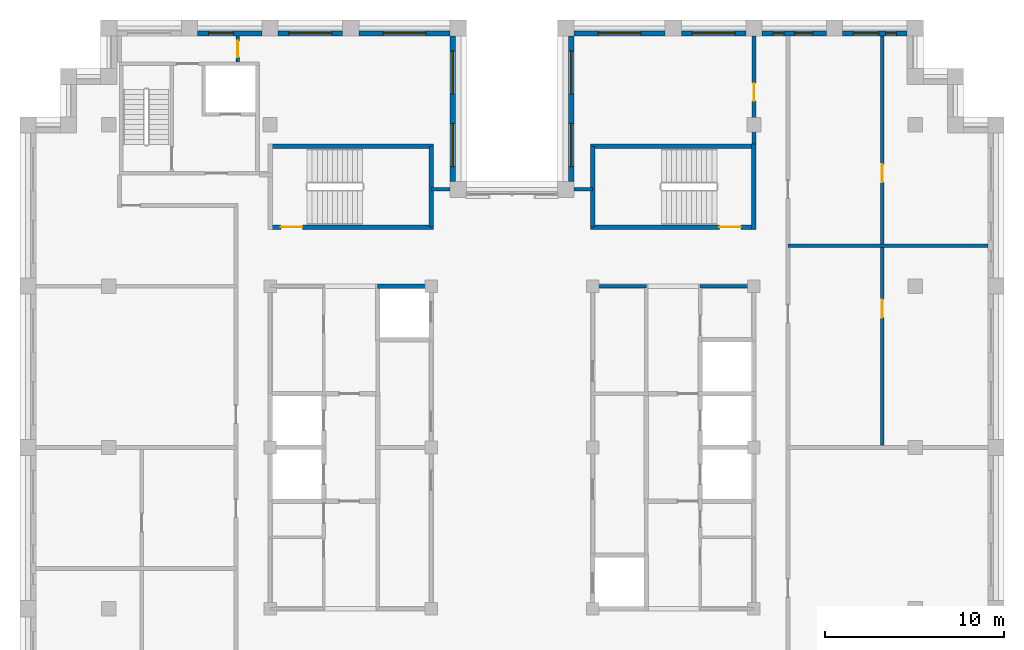
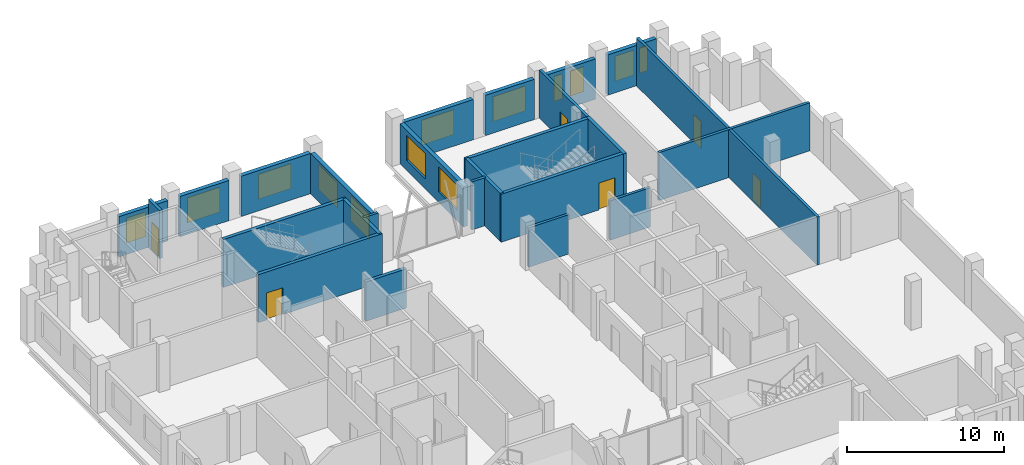
# One storey, part 10 of 13: 25 walls, 13 windows, 6 doors, 19 openings.
"""IFC4 building model written with IfcOpenShell, lengths in metres."""

from ifc_helpers import new_model, si_unit, direction, frame, frame_2d, origin, place, context, subcontext, project, spatial, rectangle, extrude, material, layer, layer_set, type_object, element, fill, save


model = new_model("IFC4")

# Units and contexts
model_context = context("Model", 3, precision=1e-05, world=origin(), true_north=direction((0.0, 1.0)))
body_context = subcontext(model_context, "Body", "Model", "MODEL_VIEW")
ifc_project = project(units=[si_unit("LENGTHUNIT", "METRE"), si_unit("AREAUNIT", "SQUARE_METRE"), si_unit("VOLUMEUNIT", "CUBIC_METRE"), si_unit("PLANEANGLEUNIT", "RADIAN"), si_unit("MASSUNIT", "GRAM", prefix="KILO")], contexts=[model_context])

# Site, building, storey
site_placement = place(None, origin())
site = spatial("IfcSite", under=ifc_project, at=site_placement, CompositionType="ELEMENT")
building_placement = place(site_placement, origin())
building = spatial("IfcBuilding", under=site, at=building_placement, Name="Corbelhall Arena Tower", CompositionType="ELEMENT")
storey_placement = place(building_placement, frame((0.0, 0.0, 312.0)))
storey = spatial("IfcBuildingStorey", under=building, at=storey_placement, Name="L68", CompositionType="ELEMENT", Elevation=312.0)

# Wall, openings, windows
ifc_material_1 = material(Name="Precast concrete C40/50 with granite facing", Category="masonry")
ifc_layer_1 = layer(ifc_material_1, 0.300048828125)
ifc_layer_set_1 = layer_set([ifc_layer_1], Name="EV-IW1 Infill panel 300")
wall_type_1 = type_object("IfcWallType", Name="EV-IW1 Infill panel 300", PredefinedType="SOLIDWALL", material=ifc_layer_set_1)
wall_1_placement = place(storey_placement, frame((22.050048828125, 23.10009765625, 0.0), z_axis=(0.0, 0.0, 1.0), x_axis=(-1.0, 0.0, 0.0)))
wall_1 = element("IfcWall", 1, at=wall_1_placement, inside=storey, type_object=wall_type_1, Name="Infill panel IW1", PredefinedType="SOLIDWALL", context=body_context, shape_type="SweptSolid", body=[
    extrude(rectangle(XDim=3.60009765625, YDim=0.300048828125, at=frame_2d((1.800048828125, 0.0))), origin(), (0.0, 0.0, 1.0), 3.139892578125),
])
opening_1_placement = place(wall_1_placement, frame((0.60009765625, 0.0, 0.800048828125)))
opening_1 = element("IfcOpeningElement", 2, at=opening_1_placement, cuts=wall_1, Name="Opening WN5", PredefinedType="OPENING", context=body_context, shape_type="SweptSolid", body=[
    extrude(rectangle(XDim=0.60009765625, YDim=1.949951171875, at=frame_2d((0.300048828125, 0.97509765625))), frame((0.0, 0.14990234375, 0.0), z_axis=(0.0, -1.0, 0.0), x_axis=(1.0, 0.0, 0.0)), (0.0, 0.0, 1.0), 0.300048828125),
])
opening_2_placement = place(wall_1_placement, frame((1.60009765625, 0.0, 0.800048828125)))
opening_2 = element("IfcOpeningElement", 3, at=opening_2_placement, cuts=wall_1, Name="Opening WN7", PredefinedType="OPENING", context=body_context, shape_type="SweptSolid", body=[
    extrude(rectangle(XDim=1.39990234375, YDim=1.949951171875, at=frame_2d((0.699951171875, 0.97509765625))), frame((0.0, 0.14990234375, 0.0), z_axis=(0.0, -1.0, 0.0), x_axis=(1.0, 0.0, 0.0)), (0.0, 0.0, 1.0), 0.300048828125),
])
ifc_material_2 = material(Name="Aluminium black anodised", Category="aluminium")
window_type_1 = type_object("IfcWindowType", Name="EV-WN5 Office window 600", PartitioningType="SINGLE_PANEL", PredefinedType="WINDOW", material=ifc_material_2)
window_1_placement = place(opening_1_placement, origin())
window_1 = element("IfcWindow", 4, at=window_1_placement, inside=storey, type_object=window_type_1, Name="Window WN5", OverallHeight=1.949951171875, OverallWidth=0.60009765625, PartitioningType="SINGLE_PANEL", PredefinedType="WINDOW", context=body_context, shape_type="SweptSolid", body=[
    extrude(rectangle(XDim=0.60009765625, YDim=1.949951171875, at=frame_2d((0.300048828125, 0.97509765625))), frame((0.0, 0.030029296875, 0.0), z_axis=(0.0, -1.0, 0.0), x_axis=(1.0, 0.0, 0.0)), (0.0, 0.0, 1.0), 0.06005859375),
])
fill(opening_1, window_1)
window_type_2 = type_object("IfcWindowType", Name="EV-WN7 Office window 1400", PartitioningType="SINGLE_PANEL", PredefinedType="WINDOW", material=ifc_material_2)
window_2_placement = place(opening_2_placement, origin())
window_2 = element("IfcWindow", 5, at=window_2_placement, inside=storey, type_object=window_type_2, Name="Window WN7", OverallHeight=1.949951171875, OverallWidth=1.39990234375, PartitioningType="SINGLE_PANEL", PredefinedType="WINDOW", context=body_context, shape_type="SweptSolid", body=[
    extrude(rectangle(XDim=1.39990234375, YDim=1.949951171875, at=frame_2d((0.699951171875, 0.97509765625))), frame((0.0, 0.030029296875, 0.0), z_axis=(0.0, -1.0, 0.0), x_axis=(1.0, 0.0, 0.0)), (0.0, 0.0, 1.0), 0.06005859375),
])
fill(opening_2, window_2)

wall_2_placement = place(storey_placement, frame((17.550048828125, 23.10009765625, 0.0), z_axis=(0.0, 0.0, 1.0), x_axis=(-1.0, 0.0, 0.0)))
wall_2 = element("IfcWall", 6, at=wall_2_placement, inside=storey, type_object=wall_type_1, Name="Infill panel IW1", PredefinedType="SOLIDWALL", context=body_context, shape_type="SweptSolid", body=[
    extrude(rectangle(XDim=3.60009765625, YDim=0.300048828125, at=frame_2d((1.800048828125, 0.0))), origin(), (0.0, 0.0, 1.0), 3.139892578125),
])
opening_3_placement = place(wall_2_placement, frame((0.77490234375, 0.0, 0.800048828125)))
opening_3 = element("IfcOpeningElement", 7, at=opening_3_placement, cuts=wall_2, Name="Opening WN6", PredefinedType="OPENING", context=body_context, shape_type="SweptSolid", body=[
    extrude(rectangle(XDim=1.0, YDim=1.949951171875, at=frame_2d((0.5, 0.97509765625))), frame((0.0, 0.14990234375, 0.0), z_axis=(0.0, -1.0, 0.0), x_axis=(1.0, 0.0, 0.0)), (0.0, 0.0, 1.0), 0.300048828125),
])
opening_4_placement = place(wall_2_placement, frame((2.375, 0.0, 0.800048828125)))
opening_4 = element("IfcOpeningElement", 8, at=opening_4_placement, cuts=wall_2, Name="Opening WN5", PredefinedType="OPENING", context=body_context, shape_type="SweptSolid", body=[
    extrude(rectangle(XDim=0.60009765625, YDim=1.949951171875, at=frame_2d((0.300048828125, 0.97509765625))), frame((0.0, 0.14990234375, 0.0), z_axis=(0.0, -1.0, 0.0), x_axis=(1.0, 0.0, 0.0)), (0.0, 0.0, 1.0), 0.300048828125),
])
window_3_placement = place(opening_4_placement, origin())
window_3 = element("IfcWindow", 9, at=window_3_placement, inside=storey, type_object=window_type_1, Name="Window WN5", OverallHeight=1.949951171875, OverallWidth=0.60009765625, PartitioningType="SINGLE_PANEL", PredefinedType="WINDOW", context=body_context, shape_type="SweptSolid", body=[
    extrude(rectangle(XDim=0.60009765625, YDim=1.949951171875, at=frame_2d((0.300048828125, 0.97509765625))), frame((0.0, 0.030029296875, 0.0), z_axis=(0.0, -1.0, 0.0), x_axis=(1.0, 0.0, 0.0)), (0.0, 0.0, 1.0), 0.06005859375),
])
fill(opening_4, window_3)
window_type_3 = type_object("IfcWindowType", Name="EV-WN6 Office window 1000", PartitioningType="SINGLE_PANEL", PredefinedType="WINDOW", material=ifc_material_2)
window_4_placement = place(opening_3_placement, origin())
window_4 = element("IfcWindow", 10, at=window_4_placement, inside=storey, type_object=window_type_3, Name="Window WN6", OverallHeight=1.949951171875, OverallWidth=1.0, PartitioningType="SINGLE_PANEL", PredefinedType="WINDOW", context=body_context, shape_type="SweptSolid", body=[
    extrude(rectangle(XDim=1.0, YDim=1.949951171875, at=frame_2d((0.5, 0.97509765625))), frame((0.0, 0.030029296875, 0.0), z_axis=(0.0, -1.0, 0.0), x_axis=(1.0, 0.0, 0.0)), (0.0, 0.0, 1.0), 0.06005859375),
])
fill(opening_3, window_4)

# Wall, opening, window
wall_3_placement = place(storey_placement, frame((13.050048828125, 23.10009765625, 0.0), z_axis=(0.0, 0.0, 1.0), x_axis=(-1.0, 0.0, 0.0)))
wall_3 = element("IfcWall", 11, at=wall_3_placement, inside=storey, type_object=wall_type_1, Name="Infill panel IW1", PredefinedType="SOLIDWALL", context=body_context, shape_type="SweptSolid", body=[
    extrude(rectangle(XDim=3.60009765625, YDim=0.300048828125, at=frame_2d((1.800048828125, 0.0))), origin(), (0.0, 0.0, 1.0), 3.139892578125),
])
opening_5_placement = place(wall_3_placement, frame((0.60009765625, 0.0, 0.800048828125)))
opening_5 = element("IfcOpeningElement", 12, at=opening_5_placement, cuts=wall_3, Name="Opening WN1", PredefinedType="OPENING", context=body_context, shape_type="SweptSolid", body=[
    extrude(rectangle(XDim=2.39990234375, YDim=1.949951171875, at=frame_2d((1.199951171875, 0.97509765625))), frame((0.0, 0.14990234375, 0.0), z_axis=(0.0, -1.0, 0.0), x_axis=(1.0, 0.0, 0.0)), (0.0, 0.0, 1.0), 0.300048828125),
])
window_type_4 = type_object("IfcWindowType", Name="EV-WN1 Office window", PartitioningType="SINGLE_PANEL", PredefinedType="WINDOW", material=ifc_material_2)
window_5_placement = place(opening_5_placement, origin())
window_5 = element("IfcWindow", 13, at=window_5_placement, inside=storey, type_object=window_type_4, Name="Window WN1", OverallHeight=1.949951171875, OverallWidth=2.39990234375, PartitioningType="SINGLE_PANEL", PredefinedType="WINDOW", context=body_context, shape_type="SweptSolid", body=[
    extrude(rectangle(XDim=2.39990234375, YDim=1.949951171875, at=frame_2d((1.199951171875, 0.97509765625))), frame((0.0, 0.030029296875, 0.0), z_axis=(0.0, -1.0, 0.0), x_axis=(1.0, 0.0, 0.0)), (0.0, 0.0, 1.0), 0.06005859375),
])
fill(opening_5, window_5)

wall_4_placement = place(storey_placement, frame((8.550048828125, 23.10009765625, 0.0), z_axis=(0.0, 0.0, 1.0), x_axis=(-1.0, 0.0, 0.0)))
wall_4 = element("IfcWall", 14, at=wall_4_placement, inside=storey, type_object=wall_type_1, Name="Infill panel IW1", PredefinedType="SOLIDWALL", context=body_context, shape_type="SweptSolid", body=[
    extrude(rectangle(XDim=5.10009765625, YDim=0.300048828125, at=frame_2d((2.550048828125, 0.0))), origin(), (0.0, 0.0, 1.0), 3.139892578125),
])
opening_6_placement = place(wall_4_placement, frame((1.35009765625, 0.0, 0.800048828125)))
opening_6 = element("IfcOpeningElement", 15, at=opening_6_placement, cuts=wall_4, Name="Opening WN1", PredefinedType="OPENING", context=body_context, shape_type="SweptSolid", body=[
    extrude(rectangle(XDim=2.39990234375, YDim=1.949951171875, at=frame_2d((1.199951171875, 0.97509765625))), frame((0.0, 0.14990234375, 0.0), z_axis=(0.0, -1.0, 0.0), x_axis=(1.0, 0.0, 0.0)), (0.0, 0.0, 1.0), 0.300048828125),
])
window_6_placement = place(opening_6_placement, origin())
window_6 = element("IfcWindow", 16, at=window_6_placement, inside=storey, type_object=window_type_4, Name="Window WN1", OverallHeight=1.949951171875, OverallWidth=2.39990234375, PartitioningType="SINGLE_PANEL", PredefinedType="WINDOW", context=body_context, shape_type="SweptSolid", body=[
    extrude(rectangle(XDim=2.39990234375, YDim=1.949951171875, at=frame_2d((1.199951171875, 0.97509765625))), frame((0.0, 0.030029296875, 0.0), z_axis=(0.0, -1.0, 0.0), x_axis=(1.0, 0.0, 0.0)), (0.0, 0.0, 1.0), 0.06005859375),
])
fill(opening_6, window_6)

# Wall, openings, windows
wall_5_placement = place(storey_placement, frame((3.300048828125, 22.949951171875, 0.0), z_axis=(0.0, 0.0, 1.0), x_axis=(0.0, -1.0, 0.0)))
wall_5 = element("IfcWall", 17, at=wall_5_placement, inside=storey, type_object=wall_type_1, Name="Infill panel IW1", PredefinedType="SOLIDWALL", context=body_context, shape_type="SweptSolid", body=[
    extrude(rectangle(XDim=8.099853515625, YDim=0.300048828125, at=frame_2d((4.0498046875, 0.0))), origin(), (0.0, 0.0, 1.0), 3.139892578125),
])
opening_7_placement = place(wall_5_placement, frame((0.824951171875, 0.0, 0.800048828125)))
opening_7 = element("IfcOpeningElement", 18, at=opening_7_placement, cuts=wall_5, Name="Opening WN1", PredefinedType="OPENING", context=body_context, shape_type="SweptSolid", body=[
    extrude(rectangle(XDim=2.39990234375, YDim=1.949951171875, at=frame_2d((1.199951171875, 0.97509765625))), frame((0.0, 0.14990234375, 0.0), z_axis=(0.0, -1.0, 0.0), x_axis=(1.0, 0.0, 0.0)), (0.0, 0.0, 1.0), 0.300048828125),
])
opening_8_placement = place(wall_5_placement, frame((4.875, 0.0, 0.800048828125)))
opening_8 = element("IfcOpeningElement", 19, at=opening_8_placement, cuts=wall_5, Name="Opening WN1", PredefinedType="OPENING", context=body_context, shape_type="SweptSolid", body=[
    extrude(rectangle(XDim=2.39990234375, YDim=1.949951171875, at=frame_2d((1.199951171875, 0.97509765625))), frame((0.0, 0.14990234375, 0.0), z_axis=(0.0, -1.0, 0.0), x_axis=(1.0, 0.0, 0.0)), (0.0, 0.0, 1.0), 0.300048828125),
])
window_7_placement = place(opening_7_placement, origin())
window_7 = element("IfcWindow", 20, at=window_7_placement, inside=storey, type_object=window_type_4, Name="Window WN1", OverallHeight=1.949951171875, OverallWidth=2.39990234375, PartitioningType="SINGLE_PANEL", PredefinedType="WINDOW", context=body_context, shape_type="SweptSolid", body=[
    extrude(rectangle(XDim=2.39990234375, YDim=1.949951171875, at=frame_2d((1.199951171875, 0.97509765625))), frame((0.0, 0.030029296875, 0.0), z_axis=(0.0, -1.0, 0.0), x_axis=(1.0, 0.0, 0.0)), (0.0, 0.0, 1.0), 0.06005859375),
])
fill(opening_7, window_7)
window_8_placement = place(opening_8_placement, origin())
window_8 = element("IfcWindow", 21, at=window_8_placement, inside=storey, type_object=window_type_4, Name="Window WN1", OverallHeight=1.949951171875, OverallWidth=2.39990234375, PartitioningType="SINGLE_PANEL", PredefinedType="WINDOW", context=body_context, shape_type="SweptSolid", body=[
    extrude(rectangle(XDim=2.39990234375, YDim=1.949951171875, at=frame_2d((1.199951171875, 0.97509765625))), frame((0.0, 0.030029296875, 0.0), z_axis=(0.0, -1.0, 0.0), x_axis=(1.0, 0.0, 0.0)), (0.0, 0.0, 1.0), 0.06005859375),
])
fill(opening_8, window_8)

wall_6_placement = place(storey_placement, frame((-3.300048828125, 14.85009765625, 0.0), z_axis=(0.0, 0.0, 1.0), x_axis=(0.0, 1.0, 0.0)))
wall_6 = element("IfcWall", 22, at=wall_6_placement, inside=storey, type_object=wall_type_1, Name="Infill panel IW1", PredefinedType="SOLIDWALL", context=body_context, shape_type="SweptSolid", body=[
    extrude(rectangle(XDim=8.099853515625, YDim=0.300048828125, at=frame_2d((4.0498046875, 0.0))), origin(), (0.0, 0.0, 1.0), 3.139892578125),
])
opening_9_placement = place(wall_6_placement, frame((0.824951171875, 0.0, 0.800048828125)))
opening_9 = element("IfcOpeningElement", 23, at=opening_9_placement, cuts=wall_6, Name="Opening WN1", PredefinedType="OPENING", context=body_context, shape_type="SweptSolid", body=[
    extrude(rectangle(XDim=2.39990234375, YDim=1.949951171875, at=frame_2d((1.199951171875, 0.97509765625))), frame((0.0, 0.14990234375, 0.0), z_axis=(0.0, -1.0, 0.0), x_axis=(1.0, 0.0, 0.0)), (0.0, 0.0, 1.0), 0.300048828125),
])
opening_10_placement = place(wall_6_placement, frame((4.875, 0.0, 0.800048828125)))
opening_10 = element("IfcOpeningElement", 24, at=opening_10_placement, cuts=wall_6, Name="Opening WN1", PredefinedType="OPENING", context=body_context, shape_type="SweptSolid", body=[
    extrude(rectangle(XDim=2.39990234375, YDim=1.949951171875, at=frame_2d((1.199951171875, 0.97509765625))), frame((0.0, 0.14990234375, 0.0), z_axis=(0.0, -1.0, 0.0), x_axis=(1.0, 0.0, 0.0)), (0.0, 0.0, 1.0), 0.300048828125),
])
window_9_placement = place(opening_9_placement, origin())
window_9 = element("IfcWindow", 25, at=window_9_placement, inside=storey, type_object=window_type_4, Name="Window WN1", OverallHeight=1.949951171875, OverallWidth=2.39990234375, PartitioningType="SINGLE_PANEL", PredefinedType="WINDOW", context=body_context, shape_type="SweptSolid", body=[
    extrude(rectangle(XDim=2.39990234375, YDim=1.949951171875, at=frame_2d((1.199951171875, 0.97509765625))), frame((0.0, 0.030029296875, 0.0), z_axis=(0.0, -1.0, 0.0), x_axis=(1.0, 0.0, 0.0)), (0.0, 0.0, 1.0), 0.06005859375),
])
fill(opening_9, window_9)
window_10_placement = place(opening_10_placement, origin())
window_10 = element("IfcWindow", 26, at=window_10_placement, inside=storey, type_object=window_type_4, Name="Window WN1", OverallHeight=1.949951171875, OverallWidth=2.39990234375, PartitioningType="SINGLE_PANEL", PredefinedType="WINDOW", context=body_context, shape_type="SweptSolid", body=[
    extrude(rectangle(XDim=2.39990234375, YDim=1.949951171875, at=frame_2d((1.199951171875, 0.97509765625))), frame((0.0, 0.030029296875, 0.0), z_axis=(0.0, -1.0, 0.0), x_axis=(1.0, 0.0, 0.0)), (0.0, 0.0, 1.0), 0.06005859375),
])
fill(opening_10, window_10)

# Wall, opening, window
wall_7_placement = place(storey_placement, frame((-3.449951171875, 23.10009765625, 0.0), z_axis=(0.0, 0.0, 1.0), x_axis=(-1.0, 0.0, 0.0)))
wall_7 = element("IfcWall", 27, at=wall_7_placement, inside=storey, type_object=wall_type_1, Name="Infill panel IW1", PredefinedType="SOLIDWALL", context=body_context, shape_type="SweptSolid", body=[
    extrude(rectangle(XDim=5.10009765625, YDim=0.300048828125, at=frame_2d((2.550048828125, 0.0))), origin(), (0.0, 0.0, 1.0), 3.139892578125),
])
opening_11_placement = place(wall_7_placement, frame((1.35009765625, 0.0, 0.800048828125)))
opening_11 = element("IfcOpeningElement", 28, at=opening_11_placement, cuts=wall_7, Name="Opening WN1", PredefinedType="OPENING", context=body_context, shape_type="SweptSolid", body=[
    extrude(rectangle(XDim=2.39990234375, YDim=1.949951171875, at=frame_2d((1.199951171875, 0.97509765625))), frame((0.0, 0.14990234375, 0.0), z_axis=(0.0, -1.0, 0.0), x_axis=(1.0, 0.0, 0.0)), (0.0, 0.0, 1.0), 0.300048828125),
])
window_11_placement = place(opening_11_placement, origin())
window_11 = element("IfcWindow", 29, at=window_11_placement, inside=storey, type_object=window_type_4, Name="Window WN1", OverallHeight=1.949951171875, OverallWidth=2.39990234375, PartitioningType="SINGLE_PANEL", PredefinedType="WINDOW", context=body_context, shape_type="SweptSolid", body=[
    extrude(rectangle(XDim=2.39990234375, YDim=1.949951171875, at=frame_2d((1.199951171875, 0.97509765625))), frame((0.0, 0.030029296875, 0.0), z_axis=(0.0, -1.0, 0.0), x_axis=(1.0, 0.0, 0.0)), (0.0, 0.0, 1.0), 0.06005859375),
])
fill(opening_11, window_11)

wall_8_placement = place(storey_placement, frame((-9.449951171875, 23.10009765625, 0.0), z_axis=(0.0, 0.0, 1.0), x_axis=(-1.0, 0.0, 0.0)))
wall_8 = element("IfcWall", 30, at=wall_8_placement, inside=storey, type_object=wall_type_1, Name="Infill panel IW1", PredefinedType="SOLIDWALL", context=body_context, shape_type="SweptSolid", body=[
    extrude(rectangle(XDim=3.60009765625, YDim=0.300048828125, at=frame_2d((1.800048828125, 0.0))), origin(), (0.0, 0.0, 1.0), 3.139892578125),
])
opening_12_placement = place(wall_8_placement, frame((0.60009765625, 0.0, 0.800048828125)))
opening_12 = element("IfcOpeningElement", 31, at=opening_12_placement, cuts=wall_8, Name="Opening WN1", PredefinedType="OPENING", context=body_context, shape_type="SweptSolid", body=[
    extrude(rectangle(XDim=2.39990234375, YDim=1.949951171875, at=frame_2d((1.199951171875, 0.97509765625))), frame((0.0, 0.14990234375, 0.0), z_axis=(0.0, -1.0, 0.0), x_axis=(1.0, 0.0, 0.0)), (0.0, 0.0, 1.0), 0.300048828125),
])
window_12_placement = place(opening_12_placement, origin())
window_12 = element("IfcWindow", 32, at=window_12_placement, inside=storey, type_object=window_type_4, Name="Window WN1", OverallHeight=1.949951171875, OverallWidth=2.39990234375, PartitioningType="SINGLE_PANEL", PredefinedType="WINDOW", context=body_context, shape_type="SweptSolid", body=[
    extrude(rectangle(XDim=2.39990234375, YDim=1.949951171875, at=frame_2d((1.199951171875, 0.97509765625))), frame((0.0, 0.030029296875, 0.0), z_axis=(0.0, -1.0, 0.0), x_axis=(1.0, 0.0, 0.0)), (0.0, 0.0, 1.0), 0.06005859375),
])
fill(opening_12, window_12)

wall_9_placement = place(storey_placement, frame((-13.949951171875, 23.10009765625, 0.0), z_axis=(0.0, 0.0, 1.0), x_axis=(-1.0, 0.0, 0.0)))
wall_9 = element("IfcWall", 33, at=wall_9_placement, inside=storey, type_object=wall_type_1, Name="Infill panel IW1", PredefinedType="SOLIDWALL", context=body_context, shape_type="SweptSolid", body=[
    extrude(rectangle(XDim=3.60009765625, YDim=0.300048828125, at=frame_2d((1.800048828125, 0.0))), origin(), (0.0, 0.0, 1.0), 3.139892578125),
])
opening_13_placement = place(wall_9_placement, frame((1.574951171875, 0.0, 0.800048828125)))
opening_13 = element("IfcOpeningElement", 34, at=opening_13_placement, cuts=wall_9, Name="Opening WN7", PredefinedType="OPENING", context=body_context, shape_type="SweptSolid", body=[
    extrude(rectangle(XDim=1.39990234375, YDim=1.949951171875, at=frame_2d((0.699951171875, 0.97509765625))), frame((0.0, 0.14990234375, 0.0), z_axis=(0.0, -1.0, 0.0), x_axis=(1.0, 0.0, 0.0)), (0.0, 0.0, 1.0), 0.300048828125),
])
window_13_placement = place(opening_13_placement, origin())
window_13 = element("IfcWindow", 35, at=window_13_placement, inside=storey, type_object=window_type_2, Name="Window WN7", OverallHeight=1.949951171875, OverallWidth=1.39990234375, PartitioningType="SINGLE_PANEL", PredefinedType="WINDOW", context=body_context, shape_type="SweptSolid", body=[
    extrude(rectangle(XDim=1.39990234375, YDim=1.949951171875, at=frame_2d((0.699951171875, 0.97509765625))), frame((0.0, 0.030029296875, 0.0), z_axis=(0.0, -1.0, 0.0), x_axis=(1.0, 0.0, 0.0)), (0.0, 0.0, 1.0), 0.06005859375),
])
fill(opening_13, window_13)

# Wall, opening, door
ifc_material_3 = material(Name="Gypsum board on steel stud, acoustic", Category="steel")
ifc_layer_2 = layer(ifc_material_3, 0.199951171875)
ifc_layer_set_2 = layer_set([ifc_layer_2], Name="IN-W-DM200")
wall_type_2 = type_object("IfcWallType", Name="IN-W-DM200", PredefinedType="PARTITIONING", material=ifc_layer_set_2)
wall_10_placement = place(storey_placement, frame((-15.300048828125, 22.949951171875, 0.0), z_axis=(0.0, 0.0, 1.0), x_axis=(0.0, -1.0, 0.0)))
wall_10 = element("IfcWall", 36, at=wall_10_placement, inside=storey, type_object=wall_type_2, Name="Partition 009", PredefinedType="PARTITIONING", context=body_context, shape_type="SweptSolid", body=[
    extrude(rectangle(XDim=1.449951171875, YDim=0.199951171875, at=frame_2d((0.72509765625, 0.0))), origin(), (0.0, 0.0, 1.0), 3.739990234375),
])
opening_14_placement = place(wall_10_placement, frame((0.27001953125, 0.0, 0.0)))
opening_14 = element("IfcOpeningElement", 37, at=opening_14_placement, cuts=wall_10, Name="Opening 22034", PredefinedType="OPENING", context=body_context, shape_type="SweptSolid", body=[
    extrude(rectangle(XDim=0.89990234375, YDim=2.10009765625, at=frame_2d((0.449951171875, 1.050048828125))), frame((0.0, 0.10009765625, 0.0), z_axis=(0.0, -1.0, 0.0), x_axis=(1.0, 0.0, 0.0)), (0.0, 0.0, 1.0), 0.199951171875),
])
ifc_material_4 = material(Name="Timber door set", Category="wood")
door_type_1 = type_object("IfcDoorType", Name="IN-D-SW90", OperationType="NOTDEFINED", PredefinedType="DOOR", material=ifc_material_4)
door_1_placement = place(opening_14_placement, origin())
door_1 = element("IfcDoor", 38, at=door_1_placement, inside=storey, type_object=door_type_1, Name="Door 034", OperationType="SINGLE_SWING_LEFT", OverallHeight=2.10009765625, OverallWidth=0.89990234375, PredefinedType="DOOR", context=body_context, shape_type="SweptSolid", body=[
    extrude(rectangle(XDim=0.89990234375, YDim=2.10009765625, at=frame_2d((0.449951171875, 1.050048828125))), frame((0.0, 0.02490234375, 0.0), z_axis=(0.0, -1.0, 0.0), x_axis=(1.0, 0.0, 0.0)), (0.0, 0.0, 1.0), 0.050048828125),
])
fill(opening_14, door_1)

# Walls
for number, where, z_axis, x_axis, name in (
    (39, (-4.5, 14.39990234375, 0.0), (0.0, 0.0, 1.0), (1.0, 0.0, 0.0), "Partition 012"),
    (40, (3.449951171875, 14.39990234375, 0.0), (0.0, 0.0, 1.0), (1.0, 0.0, 0.0), "Partition 014"),
):
    element("IfcWall", number, at=place(storey_placement, frame(where, z_axis=z_axis, x_axis=x_axis)), inside=storey, type_object=wall_type_2, Name=name, PredefinedType="PARTITIONING", context=body_context, shape_type="SweptSolid", body=[
        extrude(rectangle(XDim=1.050048828125, YDim=0.199951171875, at=frame_2d((0.52490234375, 0.0))), origin(), (0.0, 0.0, 1.0), 3.739990234375),
    ])

# Wall, opening, door
wall_11_placement = place(storey_placement, frame((13.5, 16.675048828125, 0.0), z_axis=(0.0, 0.0, 1.0), x_axis=(0.0, 1.0, 0.0)))
wall_11 = element("IfcWall", 41, at=wall_11_placement, inside=storey, type_object=wall_type_2, Name="Partition 017", PredefinedType="PARTITIONING", context=body_context, shape_type="SweptSolid", body=[
    extrude(rectangle(XDim=6.27490234375, YDim=0.199951171875, at=frame_2d((3.137451171875, 0.0))), origin(), (0.0, 0.0, 1.0), 3.739990234375),
])
opening_15_placement = place(wall_11_placement, frame((2.64990234375, 0.0, 0.0)))
opening_15 = element("IfcOpeningElement", 42, at=opening_15_placement, cuts=wall_11, Name="Opening 22018", PredefinedType="OPENING", context=body_context, shape_type="SweptSolid", body=[
    extrude(rectangle(XDim=1.0, YDim=2.10009765625, at=frame_2d((0.5, 1.050048828125))), frame((0.0, 0.10009765625, 0.0), z_axis=(0.0, -1.0, 0.0), x_axis=(1.0, 0.0, 0.0)), (0.0, 0.0, 1.0), 0.199951171875),
])
ifc_material_5 = material(Name="Steel door set", Category="steel")
door_type_2 = type_object("IfcDoorType", Name="IN-D-SW100", OperationType="NOTDEFINED", PredefinedType="DOOR", material=ifc_material_5)
door_2_placement = place(opening_15_placement, origin())
door_2 = element("IfcDoor", 43, at=door_2_placement, inside=storey, type_object=door_type_2, Name="Door 018", OperationType="SINGLE_SWING_LEFT", OverallHeight=2.10009765625, OverallWidth=1.0, PredefinedType="DOOR", context=body_context, shape_type="SweptSolid", body=[
    extrude(rectangle(XDim=1.0, YDim=2.10009765625, at=frame_2d((0.5, 1.050048828125))), frame((0.0, 0.02490234375, 0.0), z_axis=(0.0, -1.0, 0.0), x_axis=(1.0, 0.0, 0.0)), (0.0, 0.0, 1.0), 0.050048828125),
])
fill(opening_15, door_2)

# Wall
wall_12_placement = place(storey_placement, frame((15.39990234375, 11.25, 0.0), z_axis=(0.0, 0.0, 1.0), x_axis=(1.0, 0.0, 0.0)))
element("IfcWall", 44, at=wall_12_placement, inside=storey, type_object=wall_type_2, Name="Partition 020", PredefinedType="PARTITIONING", context=body_context, shape_type="SweptSolid", body=[
    extrude(rectangle(XDim=11.150146484375, YDim=0.199951171875, at=frame_2d((5.5751953125, 0.0))), origin(), (0.0, 0.0, 1.0), 3.739990234375),
])

# Wall, openings, doors
wall_13_placement = place(storey_placement, frame((20.64990234375, 22.949951171875, 0.0), z_axis=(0.0, 0.0, 1.0), x_axis=(0.0, -1.0, 0.0)))
wall_13 = element("IfcWall", 45, at=wall_13_placement, inside=storey, type_object=wall_type_2, Name="Partition 023", PredefinedType="PARTITIONING", context=body_context, shape_type="SweptSolid", body=[
    extrude(rectangle(XDim=23.050048828125, YDim=0.199951171875, at=frame_2d((11.52490234375, 0.0))), origin(), (0.0, 0.0, 1.0), 3.739990234375),
])
opening_16_placement = place(wall_13_placement, frame((14.699951171875, 0.0, 0.0)))
opening_16 = element("IfcOpeningElement", 46, at=opening_16_placement, cuts=wall_13, Name="Opening 22028", PredefinedType="OPENING", context=body_context, shape_type="SweptSolid", body=[
    extrude(rectangle(XDim=1.0, YDim=2.10009765625, at=frame_2d((0.5, 1.050048828125))), frame((0.0, 0.10009765625, 0.0), z_axis=(0.0, -1.0, 0.0), x_axis=(1.0, 0.0, 0.0)), (0.0, 0.0, 1.0), 0.199951171875),
])
opening_17_placement = place(wall_13_placement, frame((7.14990234375, 0.0, 0.0)))
opening_17 = element("IfcOpeningElement", 47, at=opening_17_placement, cuts=wall_13, Name="Opening 22030", PredefinedType="OPENING", context=body_context, shape_type="SweptSolid", body=[
    extrude(rectangle(XDim=1.0, YDim=2.10009765625, at=frame_2d((0.5, 1.050048828125))), frame((0.0, 0.10009765625, 0.0), z_axis=(0.0, -1.0, 0.0), x_axis=(1.0, 0.0, 0.0)), (0.0, 0.0, 1.0), 0.199951171875),
])
door_3_placement = place(opening_16_placement, origin())
door_3 = element("IfcDoor", 48, at=door_3_placement, inside=storey, type_object=door_type_2, Name="Door 028", OperationType="SINGLE_SWING_LEFT", OverallHeight=2.10009765625, OverallWidth=1.0, PredefinedType="DOOR", context=body_context, shape_type="SweptSolid", body=[
    extrude(rectangle(XDim=1.0, YDim=2.10009765625, at=frame_2d((0.5, 1.050048828125))), frame((0.0, 0.02490234375, 0.0), z_axis=(0.0, -1.0, 0.0), x_axis=(1.0, 0.0, 0.0)), (0.0, 0.0, 1.0), 0.050048828125),
])
fill(opening_16, door_3)
door_4_placement = place(opening_17_placement, origin())
door_4 = element("IfcDoor", 49, at=door_4_placement, inside=storey, type_object=door_type_2, Name="Door 030", OperationType="SINGLE_SWING_LEFT", OverallHeight=2.10009765625, OverallWidth=1.0, PredefinedType="DOOR", context=body_context, shape_type="SweptSolid", body=[
    extrude(rectangle(XDim=1.0, YDim=2.10009765625, at=frame_2d((0.5, 1.050048828125))), frame((0.0, 0.02490234375, 0.0), z_axis=(0.0, -1.0, 0.0), x_axis=(1.0, 0.0, 0.0)), (0.0, 0.0, 1.0), 0.050048828125),
])
fill(opening_17, door_4)

# Walls
ifc_material_6 = material(Name="Concrete block wall", Category="concrete")
ifc_layer_3 = layer(ifc_material_6, 0.199951171875)
ifc_layer_set_3 = layer_set([ifc_layer_3], Name="IN-W-RS200 under beam 678 mm")
wall_type_3 = type_object("IfcWallType", Name="IN-W-RS200 under beam 678 mm", PredefinedType="SOLIDWALL", material=ifc_layer_set_3)
for number, where, z_axis, x_axis, name in (
    (50, (4.5, 9.0, 0.0), (0.0, 0.0, 1.0), (1.0, 0.0, 0.0), "Partition 033"),
    (51, (10.5, 9.0, 0.0), (0.0, 0.0, 1.0), (1.0, 0.0, 0.0), "Partition 037"),
):
    element("IfcWall", number, at=place(storey_placement, frame(where, z_axis=z_axis, x_axis=x_axis)), inside=storey, type_object=wall_type_3, Name=name, PredefinedType="SOLIDWALL", context=body_context, shape_type="SweptSolid", body=[
        extrude(rectangle(XDim=3.0, YDim=0.199951171875, at=frame_2d((1.5, 0.0))), origin(), (0.0, 0.0, 1.0), 3.061767578125),
    ])
ifc_material_7 = material(Name="Concrete C40/50", Category="concrete")
ifc_layer_4 = layer(ifc_material_7, 0.25)
ifc_layer_set_4 = layer_set([ifc_layer_4], Name="IN-W-SH250 under beam 678 mm")
wall_type_4 = type_object("IfcWallType", Name="IN-W-SH250 under beam 678 mm", PredefinedType="SOLIDWALL", material=ifc_layer_set_4)
wall_14_placement = place(storey_placement, frame((-7.5, 9.0, 0.0), z_axis=(0.0, 0.0, 1.0), x_axis=(1.0, 0.0, 0.0)))
element("IfcWall", 52, at=wall_14_placement, inside=storey, type_object=wall_type_4, Name="Shaft wall 049", PredefinedType="SOLIDWALL", context=body_context, shape_type="SweptSolid", body=[
    extrude(rectangle(XDim=3.0, YDim=0.25, at=frame_2d((1.5, 0.0))), origin(), (0.0, 0.0, 1.0), 3.061767578125),
])

# Wall, opening, door
ifc_layer_5 = layer(ifc_material_7, 0.25)
ifc_layer_set_5 = layer_set([ifc_layer_5], Name="IN-W-ST250")
wall_type_5 = type_object("IfcWallType", Name="IN-W-ST250", PredefinedType="SOLIDWALL", material=ifc_layer_set_5)
wall_15_placement = place(storey_placement, frame((-13.5, 12.300048828125, 0.0), z_axis=(0.0, 0.0, 1.0), x_axis=(1.0, 0.0, 0.0)))
wall_15 = element("IfcWall", 53, at=wall_15_placement, inside=storey, type_object=wall_type_5, Name="Shaft wall 063", PredefinedType="SOLIDWALL", context=body_context, shape_type="SweptSolid", body=[
    extrude(rectangle(XDim=9.125, YDim=0.25, at=frame_2d((4.5625, 0.0))), origin(), (0.0, 0.0, 1.0), 3.739990234375),
])
opening_18_placement = place(wall_15_placement, frame((0.60009765625, 0.0, 0.0)))
opening_18 = element("IfcOpeningElement", 54, at=opening_18_placement, cuts=wall_15, Name="Opening 22014", PredefinedType="OPENING", context=body_context, shape_type="SweptSolid", body=[
    extrude(rectangle(XDim=1.199951171875, YDim=2.10009765625, at=frame_2d((0.60009765625, 1.050048828125))), frame((0.0, 0.125, 0.0), z_axis=(0.0, -1.0, 0.0), x_axis=(1.0, 0.0, 0.0)), (0.0, 0.0, 1.0), 0.25),
])
door_type_3 = type_object("IfcDoorType", Name="IN-D-ST120", OperationType="NOTDEFINED", PredefinedType="DOOR", material=ifc_material_5)
door_5_placement = place(opening_18_placement, origin())
door_5 = element("IfcDoor", 55, at=door_5_placement, inside=storey, type_object=door_type_3, Name="Door 014", OperationType="SINGLE_SWING_LEFT", OverallHeight=2.10009765625, OverallWidth=1.199951171875, PredefinedType="DOOR", context=body_context, shape_type="SweptSolid", body=[
    extrude(rectangle(XDim=1.199951171875, YDim=2.10009765625, at=frame_2d((0.60009765625, 1.050048828125))), frame((0.0, 0.02490234375, 0.0), z_axis=(0.0, -1.0, 0.0), x_axis=(1.0, 0.0, 0.0)), (0.0, 0.0, 1.0), 0.050048828125),
])
fill(opening_18, door_5)

# Walls
wall_16_placement = place(storey_placement, frame((-13.5, 16.800048828125, 0.0), z_axis=(0.0, 0.0, 1.0), x_axis=(1.0, 0.0, 0.0)))
element("IfcWall", 56, at=wall_16_placement, inside=storey, type_object=wall_type_5, Name="Shaft wall 065", PredefinedType="SOLIDWALL", context=body_context, shape_type="SweptSolid", body=[
    extrude(rectangle(XDim=9.125, YDim=0.25, at=frame_2d((4.5625, 0.0))), origin(), (0.0, 0.0, 1.0), 3.739990234375),
])
wall_17_placement = place(storey_placement, frame((-4.5, 16.800048828125, 0.0), z_axis=(0.0, 0.0, 1.0), x_axis=(0.0, -1.0, 0.0)))
element("IfcWall", 57, at=wall_17_placement, inside=storey, type_object=wall_type_5, Name="Shaft wall 068", PredefinedType="SOLIDWALL", context=body_context, shape_type="SweptSolid", body=[
    extrude(rectangle(XDim=4.5, YDim=0.25, at=frame_2d((2.25, 0.0))), origin(), (0.0, 0.0, 1.0), 3.739990234375),
])

# Wall, opening, door
wall_18_placement = place(storey_placement, frame((4.375, 12.300048828125, 0.0), z_axis=(0.0, 0.0, 1.0), x_axis=(1.0, 0.0, 0.0)))
wall_18 = element("IfcWall", 58, at=wall_18_placement, inside=storey, type_object=wall_type_5, Name="Shaft wall 070", PredefinedType="SOLIDWALL", context=body_context, shape_type="SweptSolid", body=[
    extrude(rectangle(XDim=9.125, YDim=0.25, at=frame_2d((4.5625, 0.0))), origin(), (0.0, 0.0, 1.0), 3.739990234375),
])
opening_19_placement = place(wall_18_placement, frame((7.199951171875, 0.0, 0.0)))
opening_19 = element("IfcOpeningElement", 59, at=opening_19_placement, cuts=wall_18, Name="Opening 22016", PredefinedType="OPENING", context=body_context, shape_type="SweptSolid", body=[
    extrude(rectangle(XDim=1.199951171875, YDim=2.10009765625, at=frame_2d((0.60009765625, 1.050048828125))), frame((0.0, 0.125, 0.0), z_axis=(0.0, -1.0, 0.0), x_axis=(1.0, 0.0, 0.0)), (0.0, 0.0, 1.0), 0.25),
])
door_6_placement = place(opening_19_placement, origin())
door_6 = element("IfcDoor", 60, at=door_6_placement, inside=storey, type_object=door_type_3, Name="Door 016", OperationType="SINGLE_SWING_LEFT", OverallHeight=2.10009765625, OverallWidth=1.199951171875, PredefinedType="DOOR", context=body_context, shape_type="SweptSolid", body=[
    extrude(rectangle(XDim=1.199951171875, YDim=2.10009765625, at=frame_2d((0.60009765625, 1.050048828125))), frame((0.0, 0.02490234375, 0.0), z_axis=(0.0, -1.0, 0.0), x_axis=(1.0, 0.0, 0.0)), (0.0, 0.0, 1.0), 0.050048828125),
])
fill(opening_19, door_6)

# Walls
wall_19_placement = place(storey_placement, frame((4.375, 16.800048828125, 0.0), z_axis=(0.0, 0.0, 1.0), x_axis=(1.0, 0.0, 0.0)))
element("IfcWall", 61, at=wall_19_placement, inside=storey, type_object=wall_type_5, Name="Shaft wall 071", PredefinedType="SOLIDWALL", context=body_context, shape_type="SweptSolid", body=[
    extrude(rectangle(XDim=9.125, YDim=0.25, at=frame_2d((4.5625, 0.0))), origin(), (0.0, 0.0, 1.0), 3.739990234375),
])
wall_20_placement = place(storey_placement, frame((4.5, 12.300048828125, 0.0), z_axis=(0.0, 0.0, 1.0), x_axis=(0.0, 1.0, 0.0)))
element("IfcWall", 62, at=wall_20_placement, inside=storey, type_object=wall_type_5, Name="Shaft wall 073", PredefinedType="SOLIDWALL", context=body_context, shape_type="SweptSolid", body=[
    extrude(rectangle(XDim=4.5, YDim=0.25, at=frame_2d((2.25, 0.0))), origin(), (0.0, 0.0, 1.0), 3.739990234375),
])
wall_21_placement = place(storey_placement, frame((13.5, 12.175048828125, 0.0), z_axis=(0.0, 0.0, 1.0), x_axis=(0.0, 1.0, 0.0)))
element("IfcWall", 63, at=wall_21_placement, inside=storey, type_object=wall_type_5, Name="Shaft wall 077", PredefinedType="SOLIDWALL", context=body_context, shape_type="SweptSolid", body=[
    extrude(rectangle(XDim=4.75, YDim=0.25, at=frame_2d((2.375, 0.0))), origin(), (0.0, 0.0, 1.0), 3.739990234375),
])

save(model, "model.ifc")
